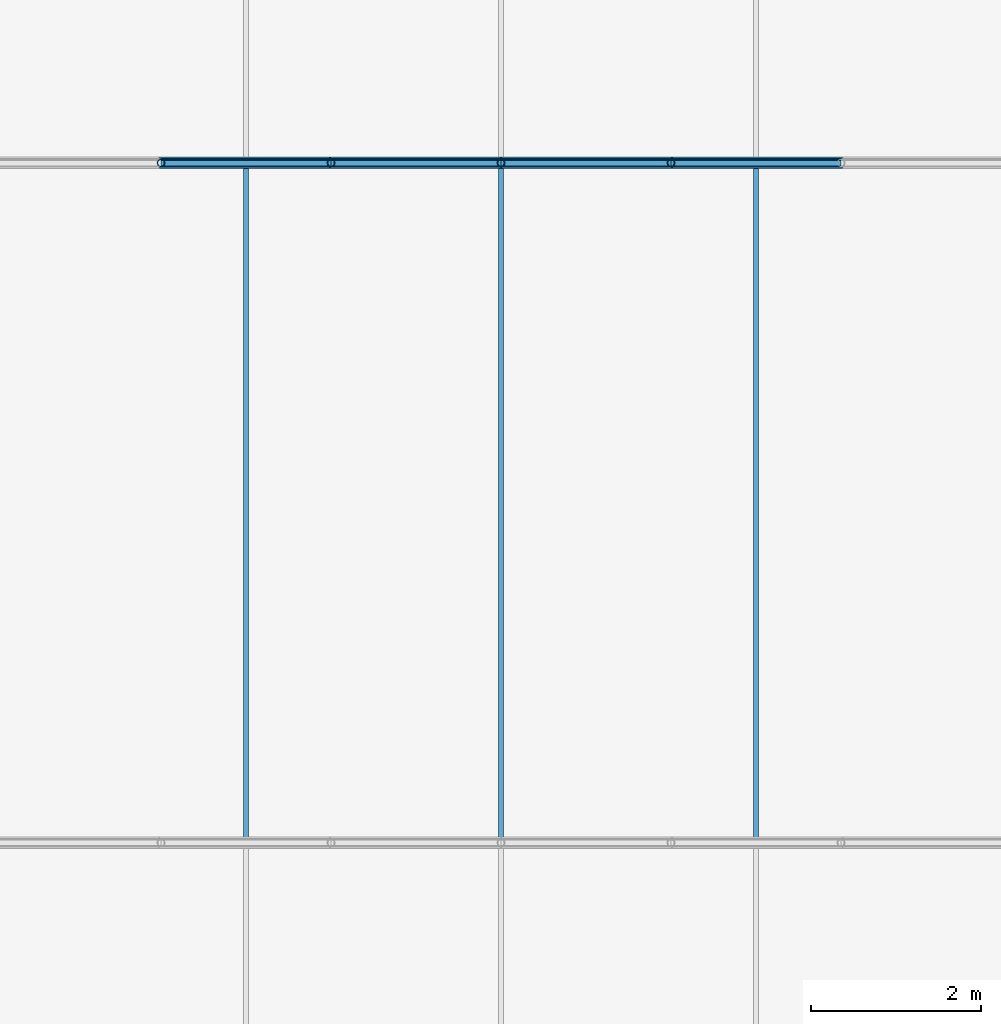
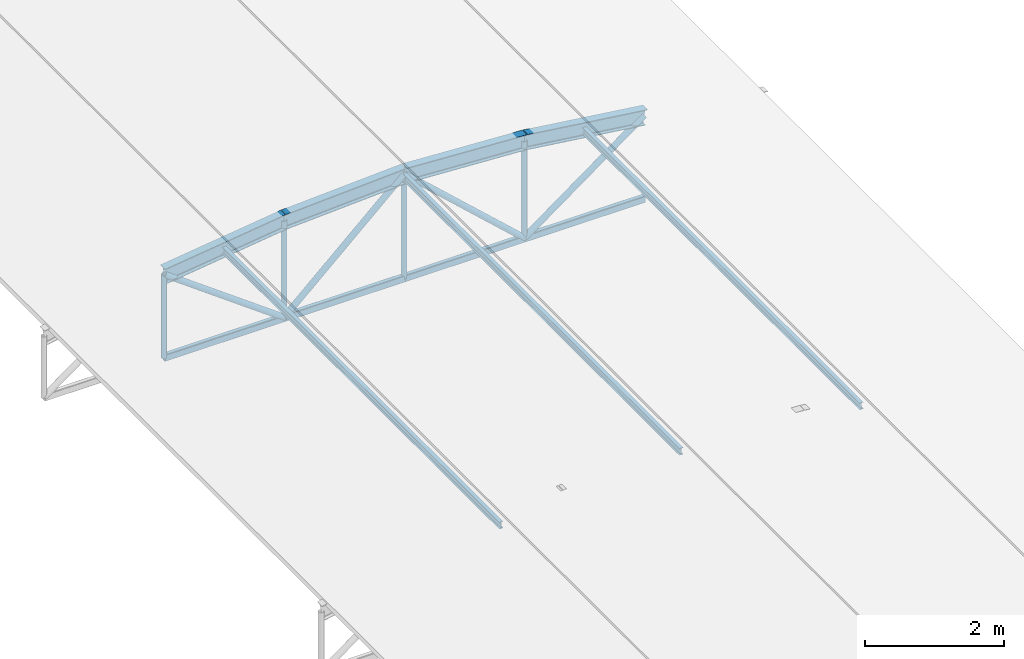
# One storey, part 45 of 54: 19 members.
"""IFC4 building model written with IfcOpenShell, lengths in metres."""

from ifc_helpers import new_model, si_unit, derived_unit, direction, frame, origin, origin_2d, place, context, subcontext, project, spatial, hollow_rectangle, hollow_circle, i_section, extrude, material, material_profile, profile_set, type_object, element, save


model = new_model("IFC4")

# Units and contexts
model_context = context("Model", 3, precision=1e-05, world=origin(), true_north=direction((0.0, 1.0)))
body_context = subcontext(model_context, "Body", "Model", "MODEL_VIEW")
ifc_project = project(units=[si_unit("LENGTHUNIT", "METRE"), si_unit("AREAUNIT", "SQUARE_METRE"), si_unit("VOLUMEUNIT", "CUBIC_METRE"), si_unit("PLANEANGLEUNIT", "RADIAN"), si_unit("MASSUNIT", "GRAM", prefix="KILO"), derived_unit("THERMALTRANSMITTANCEUNIT", [(si_unit("POWERUNIT", "WATT"), 1), (si_unit("LENGTHUNIT", "METRE"), -2), (si_unit("THERMODYNAMICTEMPERATUREUNIT", "KELVIN"), -1)])], contexts=[model_context])

# Site, building, storey
site_placement = place(None, origin())
site = spatial("IfcSite", under=ifc_project, at=site_placement, CompositionType="ELEMENT")
building_placement = place(site_placement, origin())
building = spatial("IfcBuilding", under=site, at=building_placement, Name="Keldorne Ridge Multi-Sports Centre", CompositionType="ELEMENT")
storey_placement = place(building_placement, frame((0.0, 0.0, 22.199951171875)))
storey = spatial("IfcBuildingStorey", under=building, at=storey_placement, Name="ROOF", CompositionType="ELEMENT", Elevation=22.199951171875)

# Members
ifc_material = material(Name="Steel S355", Category="steel")
ifc_material_profile_1 = material_profile(ifc_material, i_section(OverallWidth=0.06396484375, OverallDepth=0.1201171875, WebThickness=0.00439453125, FlangeThickness=0.00634765625, FilletRadius=0.007080078125, at=origin_2d()), Name="IPE 120")
ifc_profile_set_1 = profile_set([ifc_material_profile_1], Name="Steel S355")
member_type_1 = type_object("IfcMemberType", Name="MEM-PR-05", PredefinedType="PURLIN", material=ifc_profile_set_1)
for number, where, z_axis, x_axis, name in (
    (1, (87.0, 98.0, -12.179931640625), (0.0, 1.0, 0.0), (-1.0, 0.0, 0.0), "Public Passage canopy purlin 87.12"),
    (2, (90.0, 98.0, -11.929931640625), (0.0, 1.0, 0.0), (-1.0, 0.0, 0.0), "Public Passage canopy purlin 90.12"),
    (3, (93.0, 98.0, -12.179931640625), (0.0, 1.0, 0.0), (-1.0, 0.0, 0.0), "Public Passage canopy purlin 93.12"),
):
    element("IfcMember", number, at=place(storey_placement, frame(where, z_axis=z_axis, x_axis=x_axis)), inside=storey, type_object=member_type_1, Name=name, PredefinedType="PURLIN", context=body_context, shape_type="SweptSolid", body=[
        extrude(i_section(OverallWidth=0.06396484375, OverallDepth=0.1201171875, WebThickness=0.00439453125, FlangeThickness=0.00634765625, FilletRadius=0.007080078125, at=origin_2d()), origin(), (0.0, 0.0, 1.0), 8.0),
    ])
ifc_material_profile_2 = material_profile(ifc_material, i_section(OverallWidth=0.135009765625, OverallDepth=0.27001953125, WebThickness=0.006591796875, FlangeThickness=0.01025390625, FilletRadius=0.014892578125, at=origin_2d()), Name="IPE 270")
ifc_profile_set_2 = profile_set([ifc_material_profile_2], Name="Steel S355")
member_type_2 = type_object("IfcMemberType", Name="MEM-RF-02", PredefinedType="RAFTER", material=ifc_profile_set_2)
member_1_placement = place(storey_placement, frame((86.0, 106.0, -12.260009765625), z_axis=(0.991654998325, 0.0, 0.128919991848), x_axis=(0.0, 1.0, 0.0)))
element("IfcMember", 4, at=member_1_placement, inside=storey, type_object=member_type_2, Name="Public Passage bowstring arch top chord 13.2", PredefinedType="RAFTER", context=body_context, shape_type="SweptSolid", body=[
    extrude(i_section(OverallWidth=0.135009765625, OverallDepth=0.27001953125, WebThickness=0.006591796875, FlangeThickness=0.01025390625, FilletRadius=0.014892578125, at=origin_2d()), origin(), (0.0, 0.0, 1.0), 2.016845703125),
])
for number, where, z_axis, x_axis, name in (
    (5, (88.0, 106.0, -12.0), (0.998487980686, 0.0, 0.054970468663), (0.0, 1.0, 0.0), "Public Passage bowstring arch top chord 13.3"),
    (6, (90.0, 106.0, -11.889892578125), (0.998487980686, 0.0, -0.054970468663), (0.0, 1.0, 0.0), "Public Passage bowstring arch top chord 13.4"),
):
    element("IfcMember", number, at=place(storey_placement, frame(where, z_axis=z_axis, x_axis=x_axis)), inside=storey, type_object=member_type_2, Name=name, PredefinedType="RAFTER", context=body_context, shape_type="SweptSolid", body=[
        extrude(i_section(OverallWidth=0.135009765625, OverallDepth=0.27001953125, WebThickness=0.006591796875, FlangeThickness=0.01025390625, FilletRadius=0.014892578125, at=origin_2d()), origin(), (0.0, 0.0, 1.0), 2.0029296875),
    ])
member_2_placement = place(storey_placement, frame((92.0, 106.0, -12.0), z_axis=(0.991654998325, 0.0, -0.128919991848), x_axis=(0.0, 1.0, 0.0)))
element("IfcMember", 7, at=member_2_placement, inside=storey, type_object=member_type_2, Name="Public Passage bowstring arch top chord 13.5", PredefinedType="RAFTER", context=body_context, shape_type="SweptSolid", body=[
    extrude(i_section(OverallWidth=0.135009765625, OverallDepth=0.27001953125, WebThickness=0.006591796875, FlangeThickness=0.01025390625, FilletRadius=0.014892578125, at=origin_2d()), origin(), (0.0, 0.0, 1.0), 2.016845703125),
])
ifc_material_profile_3 = material_profile(ifc_material, hollow_rectangle(XDim=0.080078125, YDim=0.1201171875, WallThickness=0.008056640625, InnerFilletRadius=0.008056640625, OuterFilletRadius=0.01611328125, at=origin_2d()), Name="RHS 120x80x8")
ifc_profile_set_3 = profile_set([ifc_material_profile_3], Name="Steel S355")
member_type_3 = type_object("IfcMemberType", Name="MEM-TC-07", PredefinedType="CHORD", material=ifc_profile_set_3)
for number, where, z_axis, x_axis, name in (
    (8, (86.0, 106.0, -13.719970703125), (1.0, 0.0, 0.0), (0.0, 1.0, 0.0), "Public Passage bowstring tie chord 13.2"),
    (9, (88.0, 106.0, -13.719970703125), (1.0, 0.0, 0.0), (0.0, 1.0, 0.0), "Public Passage bowstring tie chord 13.3"),
    (10, (90.0, 106.0, -13.719970703125), (1.0, 0.0, 0.0), (0.0, 1.0, 0.0), "Public Passage bowstring tie chord 13.4"),
    (11, (92.0, 106.0, -13.719970703125), (1.0, 0.0, 0.0), (0.0, 1.0, 0.0), "Public Passage bowstring tie chord 13.5"),
):
    element("IfcMember", number, at=place(storey_placement, frame(where, z_axis=z_axis, x_axis=x_axis)), inside=storey, type_object=member_type_3, Name=name, PredefinedType="CHORD", context=body_context, shape_type="SweptSolid", body=[
        extrude(hollow_rectangle(XDim=0.080078125, YDim=0.1201171875, WallThickness=0.008056640625, InnerFilletRadius=0.008056640625, OuterFilletRadius=0.01611328125, at=origin_2d()), origin(), (0.0, 0.0, 1.0), 2.0),
    ])
ifc_material_profile_4 = material_profile(ifc_material, hollow_circle(Radius=0.05078125, WallThickness=0.00634765625, at=origin_2d()), Name="CHS 101.6x6.3")
ifc_profile_set_4 = profile_set([ifc_material_profile_4], Name="Steel S355")
member_type_4 = type_object("IfcMemberType", Name="MEM-TD-05", PredefinedType="BRACE", material=ifc_profile_set_4)
member_3_placement = place(storey_placement, frame((86.0, 106.0, -12.260009765625), z_axis=(0.8076945033, 0.0, -0.589601212125), x_axis=(0.0, 1.0, 0.0)))
element("IfcMember", 12, at=member_3_placement, inside=storey, type_object=member_type_4, Name="Public Passage bowstring web diagonal 13.2", PredefinedType="BRACE", context=body_context, shape_type="SweptSolid", body=[
    extrude(hollow_circle(Radius=0.05078125, WallThickness=0.00634765625, at=origin_2d()), origin(), (0.0, 0.0, 1.0), 2.47607421875),
])
for number, where, z_axis, x_axis, name in (
    (13, (88.0, 106.0, -13.719970703125), (0.737751969913, 0.0, 0.675071870907), (0.0, 1.0, 0.0), "Public Passage bowstring web diagonal 13.3"),
    (14, (90.0, 106.0, -11.889892578125), (0.737751969913, 0.0, -0.675071870907), (0.0, 1.0, 0.0), "Public Passage bowstring web diagonal 13.4"),
):
    element("IfcMember", number, at=place(storey_placement, frame(where, z_axis=z_axis, x_axis=x_axis)), inside=storey, type_object=member_type_4, Name=name, PredefinedType="BRACE", context=body_context, shape_type="SweptSolid", body=[
        extrude(hollow_circle(Radius=0.05078125, WallThickness=0.00634765625, at=origin_2d()), origin(), (0.0, 0.0, 1.0), 2.7109375),
    ])
member_4_placement = place(storey_placement, frame((92.0, 106.0, -13.719970703125), z_axis=(0.8076945033, 0.0, 0.589601212125), x_axis=(0.0, 1.0, 0.0)))
element("IfcMember", 15, at=member_4_placement, inside=storey, type_object=member_type_4, Name="Public Passage bowstring web diagonal 13.5", PredefinedType="BRACE", context=body_context, shape_type="SweptSolid", body=[
    extrude(hollow_circle(Radius=0.05078125, WallThickness=0.00634765625, at=origin_2d()), origin(), (0.0, 0.0, 1.0), 2.47607421875),
])
ifc_material_profile_5 = material_profile(ifc_material, hollow_circle(Radius=0.04443359375, WallThickness=0.0048828125, at=origin_2d()), Name="CHS 88.9x5")
ifc_profile_set_5 = profile_set([ifc_material_profile_5], Name="Steel S355")
member_type_5 = type_object("IfcMemberType", Name="MEM-TV-07", PredefinedType="STRUT", material=ifc_profile_set_5)
member_5_placement = place(storey_placement, frame((86.0, 106.0, -13.719970703125), z_axis=(0.0, 0.0, 1.0), x_axis=(1.0, 0.0, 0.0)))
element("IfcMember", 16, at=member_5_placement, inside=storey, type_object=member_type_5, Name="Public Passage bowstring hanger 13.2", PredefinedType="STRUT", context=body_context, shape_type="SweptSolid", body=[
    extrude(hollow_circle(Radius=0.04443359375, WallThickness=0.0048828125, at=origin_2d()), origin(), (0.0, 0.0, 1.0), 1.4599609375),
])
member_6_placement = place(storey_placement, frame((88.0, 106.0, -13.719970703125), z_axis=(0.0, 0.0, 1.0), x_axis=(1.0, 0.0, 0.0)))
element("IfcMember", 17, at=member_6_placement, inside=storey, type_object=member_type_5, Name="Public Passage bowstring hanger 13.3", PredefinedType="STRUT", context=body_context, shape_type="SweptSolid", body=[
    extrude(hollow_circle(Radius=0.04443359375, WallThickness=0.0048828125, at=origin_2d()), origin(), (0.0, 0.0, 1.0), 1.719970703125),
])
member_7_placement = place(storey_placement, frame((90.0, 106.0, -13.719970703125), z_axis=(0.0, 0.0, 1.0), x_axis=(1.0, 0.0, 0.0)))
element("IfcMember", 18, at=member_7_placement, inside=storey, type_object=member_type_5, Name="Public Passage bowstring hanger 13.4", PredefinedType="STRUT", context=body_context, shape_type="SweptSolid", body=[
    extrude(hollow_circle(Radius=0.04443359375, WallThickness=0.0048828125, at=origin_2d()), origin(), (0.0, 0.0, 1.0), 1.830078125),
])
member_8_placement = place(storey_placement, frame((92.0, 106.0, -13.719970703125), z_axis=(0.0, 0.0, 1.0), x_axis=(1.0, 0.0, 0.0)))
element("IfcMember", 19, at=member_8_placement, inside=storey, type_object=member_type_5, Name="Public Passage bowstring hanger 13.5", PredefinedType="STRUT", context=body_context, shape_type="SweptSolid", body=[
    extrude(hollow_circle(Radius=0.04443359375, WallThickness=0.0048828125, at=origin_2d()), origin(), (0.0, 0.0, 1.0), 1.719970703125),
])

save(model, "model.ifc")
